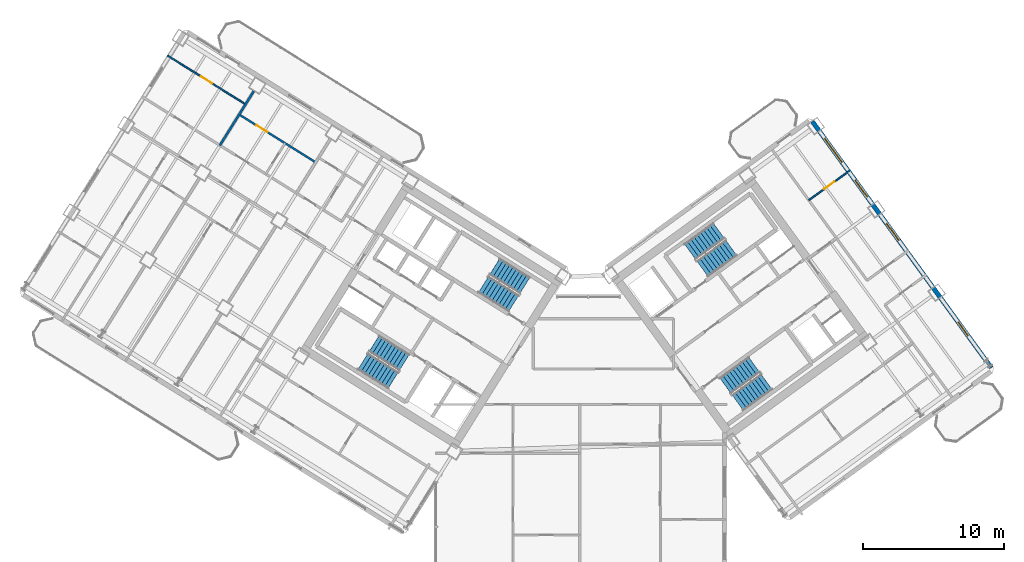
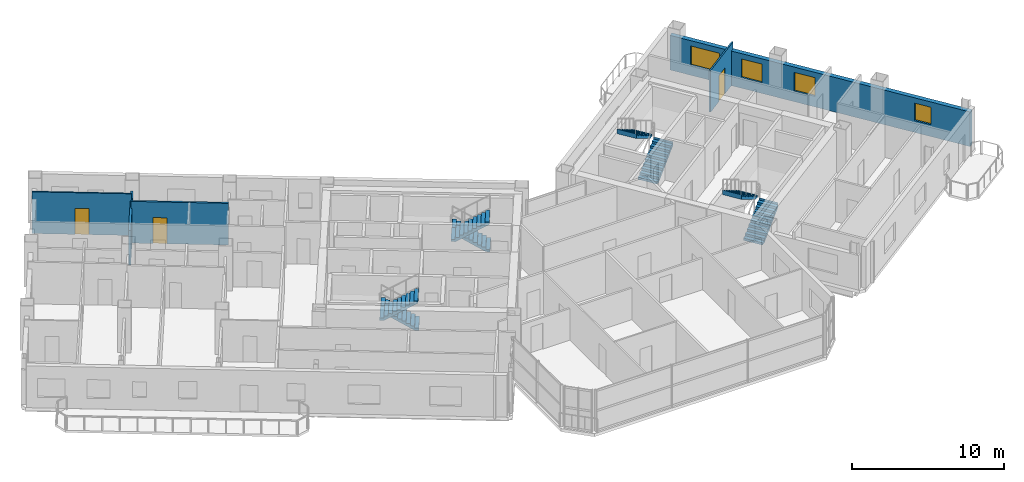
# One storey, part 21 of 25: 8 stair flights, 5 walls, 4 windows, 3 doors, 7 openings, 4 elements without a shape of their own.
"""IFC4 building model written with IfcOpenShell, lengths in metres."""

from ifc_helpers import new_model, si_unit, direction, frame, frame_2d, origin, place, context, subcontext, project, spatial, polyline, rectangle, outline, extrude, source, transform, mapped, material, layer, layer_set, type_object, element, fill, aggregate, save


model = new_model("IFC4")

# Units and contexts
model_context = context("Model", 3, precision=1e-05, world=origin(), true_north=direction((0.0, 1.0)))
body_context = subcontext(model_context, "Body", "Model", "MODEL_VIEW")
ifc_project = project(units=[si_unit("LENGTHUNIT", "METRE"), si_unit("AREAUNIT", "SQUARE_METRE"), si_unit("VOLUMEUNIT", "CUBIC_METRE"), si_unit("PLANEANGLEUNIT", "RADIAN"), si_unit("MASSUNIT", "GRAM", prefix="KILO")], contexts=[model_context])

# Site, building, storey
site_placement = place(None, origin())
site = spatial("IfcSite", under=ifc_project, at=site_placement, CompositionType="ELEMENT")
building_placement = place(site_placement, origin())
building = spatial("IfcBuilding", under=site, at=building_placement, Name="Tlacorven Tower", CompositionType="ELEMENT")
storey_placement = place(building_placement, frame((0.0, 0.0, 162.300048828125)))
storey = spatial("IfcBuildingStorey", under=building, at=storey_placement, Name="L41", CompositionType="ELEMENT", Elevation=162.300048828125)

# Wall
ifc_material_1 = material(Name="Gypsum plasterboard acoustic partition", Category="gypsum")
ifc_layer_1 = layer(ifc_material_1, 0.159912109375)
ifc_layer_set_1 = layer_set([ifc_layer_1], Name="Gypsum plasterboard acoustic partition")
wall_type_1 = type_object("IfcWallType", Name="WL-DEM-160", PredefinedType="PARTITIONING", material=ifc_layer_set_1)
wall_1_placement = place(storey_placement, frame((18.828125, 37.642578125, 0.0), z_axis=(0.0, 0.0, 1.0), x_axis=(-0.529926399231, -0.848043637673, 0.0)))
element("IfcWall", 1, at=wall_1_placement, inside=storey, type_object=wall_type_1, Name="L41 WS Demising Wall 2", PredefinedType="PARTITIONING", context=body_context, shape_type="SweptSolid", body=[
    extrude(rectangle(XDim=4.537841796875, YDim=0.159912109375, at=frame_2d((2.26904296875, 0.0))), origin(), (0.0, 0.0, 1.0), 2.77490234375),
])

# Wall, openings, windows
ifc_material_2 = material(Name="Precast concrete C45/55", Category="concrete")
ifc_layer_2 = layer(ifc_material_2, 0.320068359375)
ifc_layer_set_2 = layer_set([ifc_layer_2], Name="Precast concrete C45/55")
wall_type_2 = type_object("IfcWallType", Name="WL-EXT-320", PredefinedType="STANDARD", material=ifc_layer_set_2)
wall_2_placement = place(storey_placement, frame((58.45458984375, 35.483642578125, 0.0), z_axis=(0.0, 0.0, 1.0), x_axis=(0.587783625747, -0.809018176127, 0.0)))
wall_2 = element("IfcWall", 2, at=wall_2_placement, inside=storey, type_object=wall_type_2, Name="L41 Masonry-Frame Recessed Facade Wall 5", PredefinedType="STANDARD", context=body_context, shape_type="SweptSolid", body=[
    extrude(rectangle(XDim=21.58740234375, YDim=0.320068359375, at=frame_2d((10.793701171875, 0.0))), origin(), (0.0, 0.0, 1.0), 2.77490234375),
])
opening_1_placement = place(wall_2_placement, frame((1.47509765625, 0.0, 0.800048828125)))
opening_1 = element("IfcOpeningElement", 3, at=opening_1_placement, cuts=wall_2, Name="Opening WN04", PredefinedType="OPENING", context=body_context, shape_type="SweptSolid", body=[
    extrude(rectangle(XDim=2.10009765625, YDim=1.550048828125, at=frame_2d((1.050048828125, 0.77490234375))), frame((0.0, 0.169921875, 0.0), z_axis=(0.0, -1.0, 0.0), x_axis=(1.0, 0.0, 0.0)), (0.0, 0.0, 1.0), 0.340087890625),
])
opening_2_placement = place(wall_2_placement, frame((5.130126953125, 0.0, 0.85009765625)))
opening_2 = element("IfcOpeningElement", 4, at=opening_2_placement, cuts=wall_2, Name="Opening WN02", PredefinedType="OPENING", context=body_context, shape_type="SweptSolid", body=[
    extrude(rectangle(XDim=1.5, YDim=1.5, at=frame_2d((0.75, 0.75))), frame((0.0, 0.169921875, 0.0), z_axis=(0.0, -1.0, 0.0), x_axis=(1.0, 0.0, 0.0)), (0.0, 0.0, 1.0), 0.340087890625),
])
opening_3_placement = place(wall_2_placement, frame((8.9287109375, 0.0, 0.85009765625)))
opening_3 = element("IfcOpeningElement", 5, at=opening_3_placement, cuts=wall_2, Name="Opening WN02", PredefinedType="OPENING", context=body_context, shape_type="SweptSolid", body=[
    extrude(rectangle(XDim=1.5, YDim=1.5, at=frame_2d((0.75, 0.75))), frame((0.0, 0.169921875, 0.0), z_axis=(0.0, -1.0, 0.0), x_axis=(1.0, 0.0, 0.0)), (0.0, 0.0, 1.0), 0.340087890625),
])
opening_4_placement = place(wall_2_placement, frame((17.581298828125, 0.0, 0.949951171875)))
opening_4 = element("IfcOpeningElement", 6, at=opening_4_placement, cuts=wall_2, Name="Opening WN03", PredefinedType="OPENING", context=body_context, shape_type="SweptSolid", body=[
    extrude(rectangle(XDim=1.199951171875, YDim=1.39990234375, at=frame_2d((0.60009765625, 0.699951171875))), frame((0.0, 0.169921875, 0.0), z_axis=(0.0, -1.0, 0.0), x_axis=(1.0, 0.0, 0.0)), (0.0, 0.0, 1.0), 0.340087890625),
])
ifc_material_3 = material(Name="Dark solar low-E double glazing in anodised aluminium frame", Category="aluminium")
window_type_1 = type_object("IfcWindowType", Name="WN-APT-2100X1750", PartitioningType="SINGLE_PANEL", PredefinedType="WINDOW", material=ifc_material_3)
shared_shape_1 = source(origin(), body_context, "Body", "SweptSolid", [
    extrude(rectangle(XDim=2.10009765625, YDim=1.550048828125, at=frame_2d((1.050048828125, 0.77490234375))), frame((0.0, 0.030029296875, 0.0), z_axis=(0.0, -1.0, 0.0), x_axis=(1.0, 0.0, 0.0)), (0.0, 0.0, 1.0), 0.06005859375),
])
window_1_placement = place(opening_1_placement, origin())
window_1 = element("IfcWindow", 7, at=window_1_placement, inside=storey, type_object=window_type_1, Name="L41 Recessed Masonry-Frame Window L41-05.1", OverallHeight=1.550048828125, OverallWidth=2.10009765625, PartitioningType="SINGLE_PANEL", PredefinedType="WINDOW", context=body_context, shape_type="MappedRepresentation", body=[
    mapped(shared_shape_1, transform((0.0, 0.0, 0.0), scale=1.0)),
])
fill(opening_1, window_1)
window_type_2 = type_object("IfcWindowType", Name="WN-APT-1200X1500", PartitioningType="SINGLE_PANEL", PredefinedType="WINDOW", material=ifc_material_3)
shared_shape_2 = source(origin(), body_context, "Body", "SweptSolid", [
    extrude(rectangle(XDim=1.199951171875, YDim=1.39990234375, at=frame_2d((0.60009765625, 0.699951171875))), frame((0.0, 0.030029296875, 0.0), z_axis=(0.0, -1.0, 0.0), x_axis=(1.0, 0.0, 0.0)), (0.0, 0.0, 1.0), 0.06005859375),
])
window_2_placement = place(opening_4_placement, origin())
window_2 = element("IfcWindow", 8, at=window_2_placement, inside=storey, type_object=window_type_2, Name="L41 Recessed Masonry-Frame Window L41-05.4", OverallHeight=1.39990234375, OverallWidth=1.199951171875, PartitioningType="SINGLE_PANEL", PredefinedType="WINDOW", context=body_context, shape_type="MappedRepresentation", body=[
    mapped(shared_shape_2, transform((0.0, 0.0, 0.0), scale=1.0)),
])
fill(opening_4, window_2)
window_type_3 = type_object("IfcWindowType", Name="WN-APT-1500X1650", PartitioningType="SINGLE_PANEL", PredefinedType="WINDOW", material=ifc_material_3)
shared_shape_3 = source(origin(), body_context, "Body", "SweptSolid", [
    extrude(rectangle(XDim=1.5, YDim=1.5, at=frame_2d((0.75, 0.75))), frame((0.0, 0.030029296875, 0.0), z_axis=(0.0, -1.0, 0.0), x_axis=(1.0, 0.0, 0.0)), (0.0, 0.0, 1.0), 0.06005859375),
])
window_3_placement = place(opening_2_placement, origin())
window_3 = element("IfcWindow", 9, at=window_3_placement, inside=storey, type_object=window_type_3, Name="L41 Recessed Masonry-Frame Window L41-05.2", OverallHeight=1.5, OverallWidth=1.5, PartitioningType="SINGLE_PANEL", PredefinedType="WINDOW", context=body_context, shape_type="MappedRepresentation", body=[
    mapped(shared_shape_3, transform((0.0, 0.0, 0.0), scale=1.0)),
])
fill(opening_2, window_3)
window_4_placement = place(opening_3_placement, origin())
window_4 = element("IfcWindow", 10, at=window_4_placement, inside=storey, type_object=window_type_3, Name="L41 Recessed Masonry-Frame Window L41-05.3", OverallHeight=1.5, OverallWidth=1.5, PartitioningType="SINGLE_PANEL", PredefinedType="WINDOW", context=body_context, shape_type="MappedRepresentation", body=[
    mapped(shared_shape_3, transform((0.0, 0.0, 0.0), scale=1.0)),
])
fill(opening_3, window_4)

# Wall, opening, door
ifc_material_4 = material(Name="Gypsum plasterboard partition", Category="gypsum")
ifc_layer_3 = layer(ifc_material_4, 0.110107421875)
ifc_layer_set_3 = layer_set([ifc_layer_3], Name="Gypsum plasterboard partition")
wall_type_3 = type_object("IfcWallType", Name="WL-INT-110", PredefinedType="PARTITIONING", material=ifc_layer_set_3)
wall_3_placement = place(storey_placement, frame((18.241943359375, 36.70458984375, 0.0), z_axis=(0.0, 0.0, 1.0), x_axis=(-0.848048787466, 0.529918157905, 0.0)))
wall_3 = element("IfcWall", 11, at=wall_3_placement, inside=storey, type_object=wall_type_3, Name="L41 partition 67", PredefinedType="PARTITIONING", context=body_context, shape_type="SweptSolid", body=[
    extrude(rectangle(XDim=6.52001953125, YDim=0.110107421875, at=frame_2d((3.260009765625, 0.0))), origin(), (0.0, 0.0, 1.0), 3.33984375),
])
opening_5_placement = place(wall_3_placement, frame((2.800048828125, 0.0, 0.0)))
opening_5 = element("IfcOpeningElement", 12, at=opening_5_placement, cuts=wall_3, Name="Opening D12", PredefinedType="OPENING", context=body_context, shape_type="SweptSolid", body=[
    extrude(rectangle(XDim=0.919921875, YDim=2.080078125, at=frame_2d((0.4599609375, 1.0400390625))), frame((0.0, 0.06494140625, 0.0), z_axis=(0.0, -1.0, 0.0), x_axis=(1.0, 0.0, 0.0)), (0.0, 0.0, 1.0), 0.130126953125),
])
ifc_material_5 = material(Name="Powder-coated aluminium and timber door", Category="wood")
door_type = type_object("IfcDoorType", Name="DR-INT-ROOM-0920", OperationType="NOTDEFINED", PredefinedType="DOOR", material=ifc_material_5)
shared_shape_4 = source(origin(), body_context, "Body", "SweptSolid", [
    extrude(rectangle(XDim=0.919921875, YDim=2.080078125, at=frame_2d((0.4599609375, 1.0400390625))), frame((0.0, 0.02490234375, 0.0), z_axis=(0.0, -1.0, 0.0), x_axis=(1.0, 0.0, 0.0)), (0.0, 0.0, 1.0), 0.050048828125),
])
door_1_placement = place(opening_5_placement, origin())
door_1 = element("IfcDoor", 13, at=door_1_placement, inside=storey, type_object=door_type, Name="L41 door 041", OperationType="SINGLE_SWING_LEFT", OverallHeight=2.080078125, OverallWidth=0.919921875, PredefinedType="DOOR", context=body_context, shape_type="MappedRepresentation", body=[
    mapped(shared_shape_4, transform((0.0, 0.0, 0.0), scale=1.0)),
])
fill(opening_5, door_1)

wall_4_placement = place(storey_placement, frame((58.19482421875, 29.903564453125, 0.0), z_axis=(0.0, 0.0, 1.0), x_axis=(0.809005039917, 0.58780170584, 0.0)))
wall_4 = element("IfcWall", 14, at=wall_4_placement, inside=storey, type_object=wall_type_3, Name="L41 partition 96", PredefinedType="PARTITIONING", context=body_context, shape_type="SweptSolid", body=[
    extrude(rectangle(XDim=3.610107421875, YDim=0.110107421875, at=frame_2d((1.80517578125, 0.0))), origin(), (0.0, 0.0, 1.0), 3.33984375),
])
opening_6_placement = place(wall_4_placement, frame((1.344970703125, 0.0, 0.0)))
opening_6 = element("IfcOpeningElement", 15, at=opening_6_placement, cuts=wall_4, Name="Opening D12", PredefinedType="OPENING", context=body_context, shape_type="SweptSolid", body=[
    extrude(rectangle(XDim=0.919921875, YDim=2.080078125, at=frame_2d((0.4599609375, 1.0400390625))), frame((0.0, 0.06494140625, 0.0), z_axis=(0.0, -1.0, 0.0), x_axis=(1.0, 0.0, 0.0)), (0.0, 0.0, 1.0), 0.130126953125),
])
door_2_placement = place(opening_6_placement, origin())
door_2 = element("IfcDoor", 16, at=door_2_placement, inside=storey, type_object=door_type, Name="L41 door 061", OperationType="SINGLE_SWING_LEFT", OverallHeight=2.080078125, OverallWidth=0.919921875, PredefinedType="DOOR", context=body_context, shape_type="MappedRepresentation", body=[
    mapped(shared_shape_4, transform((0.0, 0.0, 0.0), scale=1.0)),
])
fill(opening_6, door_2)

ifc_material_6 = material(Name="Moisture-resistant gypsum plumbing wall", Category="gypsum")
ifc_layer_4 = layer(ifc_material_6, 0.139892578125)
ifc_layer_set_4 = layer_set([ifc_layer_4], Name="Moisture-resistant gypsum plumbing wall")
wall_type_4 = type_object("IfcWallType", Name="WL-PLM-140", PredefinedType="PLUMBINGWALL", material=ifc_layer_set_4)
wall_5_placement = place(storey_placement, frame((23.218017578125, 32.590576171875, 0.0), z_axis=(0.0, 0.0, 1.0), x_axis=(-0.848056163074, 0.529906354247, 0.0)))
wall_5 = element("IfcWall", 17, at=wall_5_placement, inside=storey, type_object=wall_type_4, Name="L41 partition 65", PredefinedType="PLUMBINGWALL", context=body_context, shape_type="SweptSolid", body=[
    extrude(rectangle(XDim=6.39990234375, YDim=0.139892578125, at=frame_2d((3.199951171875, 0.0))), origin(), (0.0, 0.0, 1.0), 3.33984375),
])
opening_7_placement = place(wall_5_placement, frame((4.0400390625, 0.0, 0.0)))
opening_7 = element("IfcOpeningElement", 18, at=opening_7_placement, cuts=wall_5, Name="Opening D12", PredefinedType="OPENING", context=body_context, shape_type="SweptSolid", body=[
    extrude(rectangle(XDim=0.919921875, YDim=2.080078125, at=frame_2d((0.4599609375, 1.0400390625))), frame((0.0, 0.080078125, 0.0), z_axis=(0.0, -1.0, 0.0), x_axis=(1.0, 0.0, 0.0)), (0.0, 0.0, 1.0), 0.159912109375),
])
door_3_placement = place(opening_7_placement, origin())
door_3 = element("IfcDoor", 19, at=door_3_placement, inside=storey, type_object=door_type, Name="L41 door 038", OperationType="SINGLE_SWING_RIGHT", OverallHeight=2.080078125, OverallWidth=0.919921875, PredefinedType="DOOR", context=body_context, shape_type="MappedRepresentation", body=[
    mapped(shared_shape_4, transform((0.0, 0.0, 0.0), scale=1.0)),
])
fill(opening_7, door_3)

# Stair, stair flights
ifc_material_7 = material(Name="Concrete C40/50", Category="concrete")
stair_type = type_object("IfcStairType", Name="ST-CORE-DLG", PredefinedType="HALF_TURN_STAIR", material=ifc_material_7)
stair_1_placement = place(storey_placement, origin())
stair_1 = element("IfcStair", 20, at=stair_1_placement, inside=storey, type_object=stair_type, Name="L41 Protected Exit Stair West 1", PredefinedType="HALF_TURN_STAIR")
stair_flight_type = type_object("IfcStairFlightType", Name="SFL-RC-1380", PredefinedType="STRAIGHT", material=ifc_material_7)
shared_shape_5 = source(origin(), body_context, "Body", "SweptSolid", [
    extrude(outline(polyline([(-0.0029296875, -0.0029296875), (-0.0029296875, 0.179931640625), (0.280029296875, 0.179931640625), (0.280029296875, 0.360107421875), (0.56005859375, 0.360107421875), (0.56005859375, 0.5400390625), (0.840087890625, 0.5400390625), (0.840087890625, 0.719970703125), (1.1201171875, 0.719970703125), (1.1201171875, 0.89990234375), (1.39990234375, 0.89990234375), (1.39990234375, 1.080078125), (1.679931640625, 1.080078125), (1.679931640625, 1.260009765625), (1.9599609375, 1.260009765625), (1.9599609375, 1.43994140625), (2.239990234375, 1.43994140625), (2.239990234375, 1.6201171875), (2.52001953125, 1.6201171875), (2.52001953125, 1.800048828125), (2.52294921875, 1.800048828125), (2.52294921875, 1.429931640625), (2.52001953125, 1.429931640625), (0.295654296875, 0.0), (0.295654296875, -0.0029296875), (-0.0029296875, -0.0029296875)])), frame((0.0, 0.68994140625, 0.0), z_axis=(0.0, -1.0, 0.0), x_axis=(1.0, 0.0, 0.0)), (0.0, 0.0, 1.0), 1.3798828125),
])
stair_flight_1_placement = place(storey_placement, frame((29.499755859375, 18.39453125, 0.0), z_axis=(0.0, 0.0, 1.0), x_axis=(-0.848048096156, 0.529919264233, 0.0)))
stair_flight_1 = element("IfcStairFlight", 21, at=stair_flight_1_placement, type_object=stair_flight_type, Name="ST-W1 flight 1", NumberOfRisers=10, NumberOfTreads=9, PredefinedType="STRAIGHT", RiserHeight=0.18, TreadLength=0.28, context=body_context, shape_type="MappedRepresentation", body=[
    mapped(shared_shape_5, transform((0.0, 0.0, 0.0), scale=1.0)),
])
stair_flight_2_placement = place(storey_placement, frame((26.56787109375, 18.4580078125, 1.800048828125), z_axis=(0.0, 0.0, 1.0), x_axis=(0.848048096156, -0.529919264233, 0.0)))
stair_flight_2 = element("IfcStairFlight", 22, at=stair_flight_2_placement, type_object=stair_flight_type, Name="ST-W1 flight 2", NumberOfRisers=10, NumberOfTreads=9, PredefinedType="STRAIGHT", RiserHeight=0.18, TreadLength=0.28, context=body_context, shape_type="MappedRepresentation", body=[
    mapped(shared_shape_5, transform((0.0, 0.0, 0.0), scale=1.0)),
])
aggregate(stair_1, [stair_flight_1, stair_flight_2])

stair_2_placement = place(storey_placement, origin())
stair_2 = element("IfcStair", 23, at=stair_2_placement, inside=storey, type_object=stair_type, Name="L41 Protected Exit Stair West 2", PredefinedType="HALF_TURN_STAIR")
stair_flight_3_placement = place(storey_placement, frame((38.051513671875, 23.852294921875, 0.0), z_axis=(0.0, 0.0, 1.0), x_axis=(-0.848048096156, 0.529919264233, 0.0)))
stair_flight_3 = element("IfcStairFlight", 24, at=stair_flight_3_placement, type_object=stair_flight_type, Name="ST-W2 flight 1", NumberOfRisers=10, NumberOfTreads=9, PredefinedType="STRAIGHT", RiserHeight=0.18, TreadLength=0.28, context=body_context, shape_type="MappedRepresentation", body=[
    mapped(shared_shape_5, transform((0.0, 0.0, 0.0), scale=1.0)),
])
stair_flight_4_placement = place(storey_placement, frame((35.119384765625, 23.91552734375, 1.800048828125), z_axis=(0.0, 0.0, 1.0), x_axis=(0.848048096156, -0.529919264233, 0.0)))
stair_flight_4 = element("IfcStairFlight", 25, at=stair_flight_4_placement, type_object=stair_flight_type, Name="ST-W2 flight 2", NumberOfRisers=10, NumberOfTreads=9, PredefinedType="STRAIGHT", RiserHeight=0.18, TreadLength=0.28, context=body_context, shape_type="MappedRepresentation", body=[
    mapped(shared_shape_5, transform((0.0, 0.0, 0.0), scale=1.0)),
])
aggregate(stair_2, [stair_flight_3, stair_flight_4])

stair_3_placement = place(storey_placement, origin())
stair_3 = element("IfcStair", 26, at=stair_3_placement, inside=storey, type_object=stair_type, Name="L41 Protected Exit Stair East 1", PredefinedType="HALF_TURN_STAIR")
stair_flight_5_placement = place(storey_placement, frame((50.6533203125, 25.0400390625, 0.0), z_axis=(0.0, 0.0, 1.0), x_axis=(0.809016994375, 0.587785252292, 0.0)))
stair_flight_5 = element("IfcStairFlight", 27, at=stair_flight_5_placement, type_object=stair_flight_type, Name="ST-E1 flight 1", NumberOfRisers=10, NumberOfTreads=9, PredefinedType="STRAIGHT", RiserHeight=0.18, TreadLength=0.28, context=body_context, shape_type="MappedRepresentation", body=[
    mapped(shared_shape_5, transform((0.0, 0.0, 0.0), scale=1.0)),
])
stair_flight_6_placement = place(storey_placement, frame((51.810546875, 27.734619140625, 1.800048828125), z_axis=(0.0, 0.0, 1.0), x_axis=(-0.809016994375, -0.587785252292, 0.0)))
stair_flight_6 = element("IfcStairFlight", 28, at=stair_flight_6_placement, type_object=stair_flight_type, Name="ST-E1 flight 2", NumberOfRisers=10, NumberOfTreads=9, PredefinedType="STRAIGHT", RiserHeight=0.18, TreadLength=0.28, context=body_context, shape_type="MappedRepresentation", body=[
    mapped(shared_shape_5, transform((0.0, 0.0, 0.0), scale=1.0)),
])
aggregate(stair_3, [stair_flight_5, stair_flight_6])

stair_4_placement = place(storey_placement, origin())
stair_4 = element("IfcStair", 29, at=stair_4_placement, inside=storey, type_object=stair_type, Name="L41 Protected Exit Stair East 2", PredefinedType="HALF_TURN_STAIR")
stair_flight_7_placement = place(storey_placement, frame((53.157470703125, 15.536865234375, 0.0), z_axis=(0.0, 0.0, 1.0), x_axis=(0.809016994375, 0.587785252292, 0.0)))
stair_flight_7 = element("IfcStairFlight", 30, at=stair_flight_7_placement, type_object=stair_flight_type, Name="ST-E2 flight 1", NumberOfRisers=10, NumberOfTreads=9, PredefinedType="STRAIGHT", RiserHeight=0.18, TreadLength=0.28, context=body_context, shape_type="MappedRepresentation", body=[
    mapped(shared_shape_5, transform((0.0, 0.0, 0.0), scale=1.0)),
])
stair_flight_8_placement = place(storey_placement, frame((54.314453125, 18.231689453125, 1.800048828125), z_axis=(0.0, 0.0, 1.0), x_axis=(-0.809016994375, -0.587785252292, 0.0)))
stair_flight_8 = element("IfcStairFlight", 31, at=stair_flight_8_placement, type_object=stair_flight_type, Name="ST-E2 flight 2", NumberOfRisers=10, NumberOfTreads=9, PredefinedType="STRAIGHT", RiserHeight=0.18, TreadLength=0.28, context=body_context, shape_type="MappedRepresentation", body=[
    mapped(shared_shape_5, transform((0.0, 0.0, 0.0), scale=1.0)),
])
aggregate(stair_4, [stair_flight_7, stair_flight_8])

save(model, "model.ifc")
